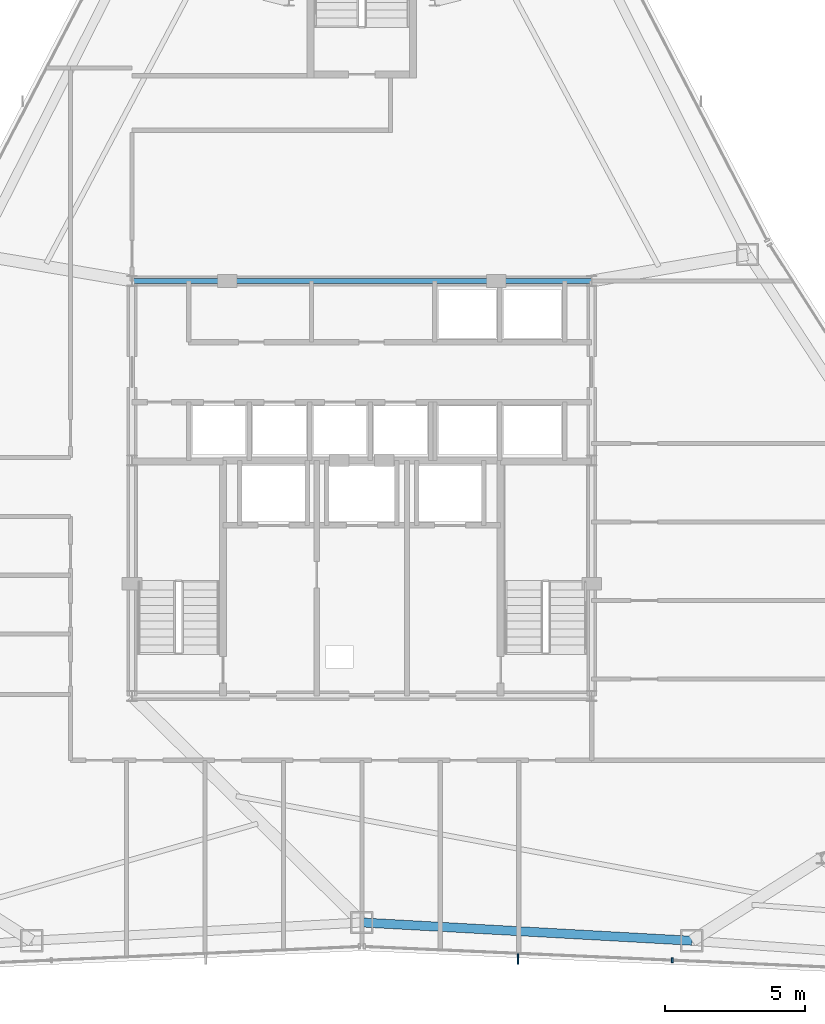
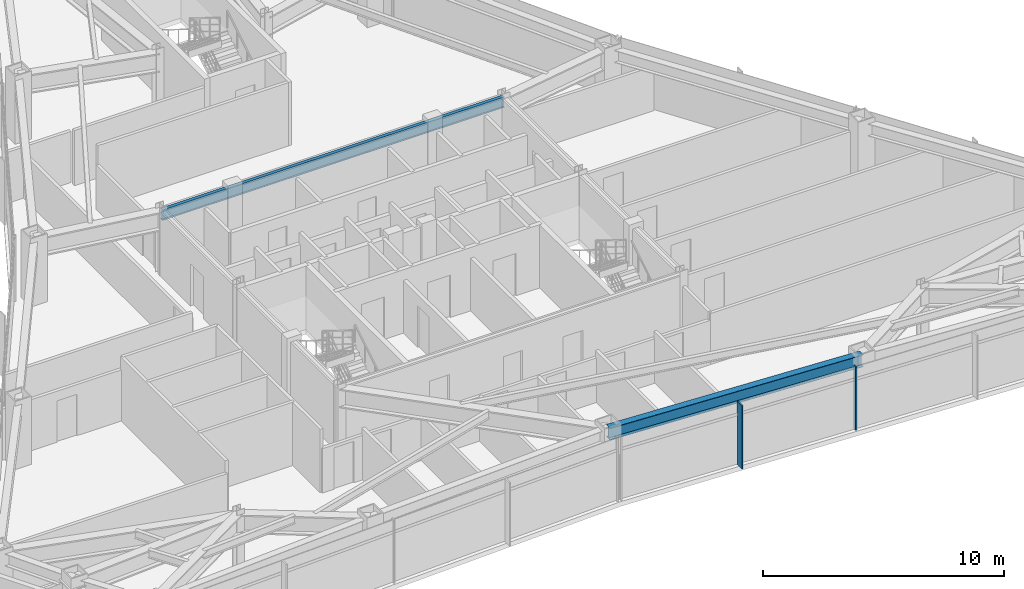
# One storey, part 6 of 13: 2 beams, 2 members, 1 element without a shape of its own.
"""IFC4 building model written with IfcOpenShell, lengths in metres."""

from ifc_helpers import new_model, si_unit, direction, frame, origin, origin_2d, place, context, subcontext, project, spatial, rectangle, i_section, extrude, source, transform, mapped, material, layer, layer_set, material_profile, profile_set, type_object, type_shapes, element, aggregate, save


model = new_model("IFC4")

# Units and contexts
model_context = context("Model", 3, precision=1e-05, world=origin(), true_north=direction((0.0, 1.0)))
body_context = subcontext(model_context, "Body", "Model", "MODEL_VIEW")
ifc_project = project(units=[si_unit("LENGTHUNIT", "METRE"), si_unit("AREAUNIT", "SQUARE_METRE"), si_unit("VOLUMEUNIT", "CUBIC_METRE"), si_unit("PLANEANGLEUNIT", "RADIAN"), si_unit("MASSUNIT", "GRAM", prefix="KILO")], contexts=[model_context])

# Site, building, storey
site_placement = place(None, origin())
site = spatial("IfcSite", under=ifc_project, at=site_placement, CompositionType="ELEMENT")
building_placement = place(site_placement, origin())
building = spatial("IfcBuilding", under=site, at=building_placement, Name="Varakhsha Concourse Tower", CompositionType="ELEMENT")
storey_placement = place(building_placement, frame((0.0, 0.0, 182.699951171875)))
storey = spatial("IfcBuildingStorey", under=building, at=storey_placement, Name="L52", CompositionType="ELEMENT", Elevation=182.699951171875)

# Beams
ifc_material_1 = material(Name="Structural Steel ASTM A992 Grade 50", Category="steel")
ifc_material_profile_1 = material_profile(ifc_material_1, i_section(OverallWidth=0.1669921875, OverallDepth=0.534912109375, WebThickness=0.010009765625, FlangeThickness=0.01708984375, at=origin_2d()), Name="W21X57")
ifc_profile_set_1 = profile_set([ifc_material_profile_1], Name="Structural Steel ASTM A992 Grade 50")
beam_type_1 = type_object("IfcBeamType", Name="BM-RAD-W21X57", PredefinedType="BEAM", material=ifc_profile_set_1)
beam_1_placement = place(storey_placement, frame((31.800048828125, 31.199951171875, 2.942626953125), z_axis=(1.0, 0.0, 0.0), x_axis=(0.0, 1.0, 0.0)))
element("IfcBeam", 1, at=beam_1_placement, inside=storey, type_object=beam_type_1, Name="BM-TCORE-L52-CN", PredefinedType="BEAM", context=body_context, shape_type="SweptSolid", body=[
    extrude(i_section(OverallWidth=0.1669921875, OverallDepth=0.534912109375, WebThickness=0.010009765625, FlangeThickness=0.01708984375, at=origin_2d()), origin(), (0.0, 0.0, 1.0), 16.39990234375),
])
ifc_material_profile_2 = material_profile(ifc_material_1, i_section(OverallWidth=0.323974609375, OverallDepth=0.611083984375, WebThickness=0.012939453125, FlangeThickness=0.01904296875, at=origin_2d()), Name="W24X104")
ifc_profile_set_2 = profile_set([ifc_material_profile_2], Name="Structural Steel ASTM A992 Grade 50")
beam_type_2 = type_object("IfcBeamType", Name="BM-SPAN-W24X104", PredefinedType="SPANDREL", material=ifc_profile_set_2)
beam_2_placement = place(storey_placement, frame((40.0, 8.3125, 2.904541015625), z_axis=(0.998465571879, -0.055376003582, 0.0), x_axis=(0.055376003582, 0.998465571879, 0.0)))
element("IfcBeam", 2, at=beam_2_placement, inside=storey, type_object=beam_type_2, Name="BM-SPAN-L52-11", PredefinedType="SPANDREL", context=body_context, shape_type="SweptSolid", body=[
    extrude(i_section(OverallWidth=0.323974609375, OverallDepth=0.611083984375, WebThickness=0.012939453125, FlangeThickness=0.01904296875, at=origin_2d()), origin(), (0.0, 0.0, 1.0), 11.79345703125),
])

# Curtain wall, members
ifc_material_2 = material(Name="Anodised Bronze Architectural Aluminium AA 6063-T6", Category="aluminium")
ifc_layer = layer(ifc_material_2, 0.2099609375, Name="CW-SYS-04")
ifc_layer_set = layer_set([ifc_layer], Name="Anodised Bronze Architectural Aluminium AA 6063-T6")
curtain_wall_type = type_object("IfcCurtainWallType", Name="CW-SYS-04", PredefinedType="NOTDEFINED", material=ifc_layer_set)
curtain_wall_placement = place(storey_placement, origin())
curtain_wall = element("IfcCurtainWall", 3, at=curtain_wall_placement, inside=storey, type_object=curtain_wall_type, Name="L52 Crystal Curtain Wall F6", PredefinedType="NOTDEFINED")
ifc_material_profile_3 = material_profile(ifc_material_2, rectangle(XDim=0.06005859375, YDim=0.3798828125, at=origin_2d()), Name="FIN-BRZ-380")
ifc_profile_set_3 = profile_set([ifc_material_profile_3], Name="Anodised Bronze Architectural Aluminium AA 6063-T6")
member_type_1 = type_object("IfcMemberType", Name="FIN-BRZ-380", PredefinedType="USERDEFINED", material=ifc_profile_set_3)
shared_shape_1 = source(origin(), body_context, "Body", "SweptSolid", [
    extrude(rectangle(XDim=0.06005859375, YDim=0.3798828125, at=origin_2d()), origin(), (0.0, 0.0, 1.0), 3.2099609375),
])
type_shapes(member_type_1, [shared_shape_1])
member_1_placement = place(storey_placement, frame((45.571533203125, 7.008544921875, 0.0), z_axis=(0.0, 0.0, 1.0), x_axis=(1.0, 0.0, 0.0)))
member_1 = element("IfcMember", 4, at=member_1_placement, type_object=member_type_1, Name="L52 Anodised Bronze Solar Fin F6-2", ObjectType="SOLAR FIN", PredefinedType="USERDEFINED", context=body_context, shape_type="MappedRepresentation", body=[
    mapped(shared_shape_1, transform((0.0, 0.0, 0.0), scale=1.0)),
])
ifc_material_profile_4 = material_profile(ifc_material_2, rectangle(XDim=0.06494140625, YDim=0.179931640625, at=origin_2d()), Name="CWM-180X65")
ifc_profile_set_4 = profile_set([ifc_material_profile_4], Name="Anodised Bronze Architectural Aluminium AA 6063-T6")
member_type_2 = type_object("IfcMemberType", Name="CWM-180X65", PredefinedType="MULLION", material=ifc_profile_set_4)
shared_shape_2 = source(origin(), body_context, "Body", "SweptSolid", [
    extrude(rectangle(XDim=0.06494140625, YDim=0.179931640625, at=origin_2d()), origin(), (0.0, 0.0, 1.0), 3.2099609375),
])
type_shapes(member_type_2, [shared_shape_2])
member_2_placement = place(storey_placement, frame((51.07421875, 6.9697265625, 0.0), z_axis=(0.0, 0.0, 1.0), x_axis=(-0.999018917807, 0.04428545883, 0.0)))
member_2 = element("IfcMember", 5, at=member_2_placement, type_object=member_type_2, Name="CW-L52-F6 Mullion 01", PredefinedType="MULLION", context=body_context, shape_type="MappedRepresentation", body=[
    mapped(shared_shape_2, transform((0.0, 0.0, 0.0), scale=1.0)),
])
aggregate(curtain_wall, [member_2, member_1])

save(model, "model.ifc")
